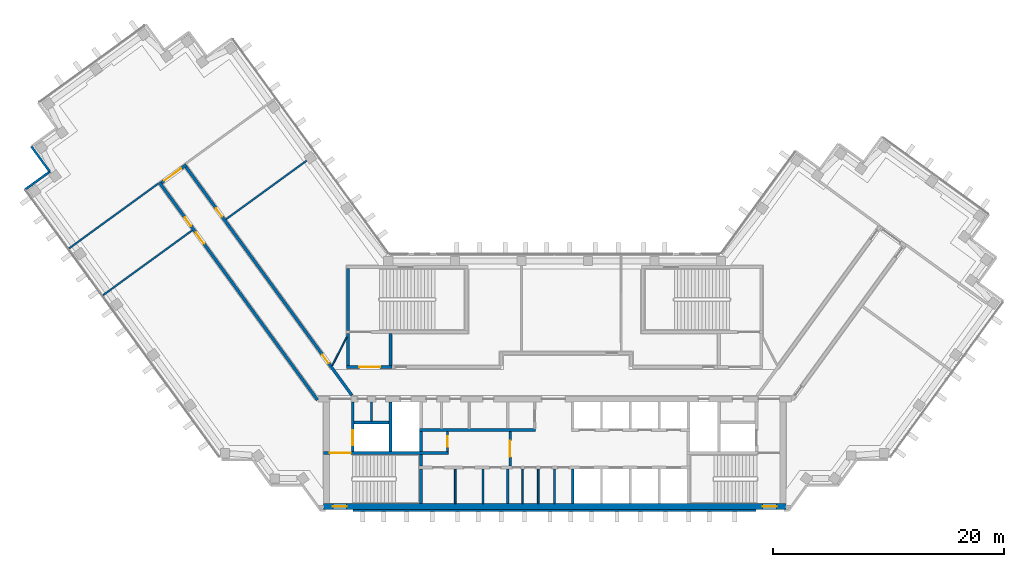
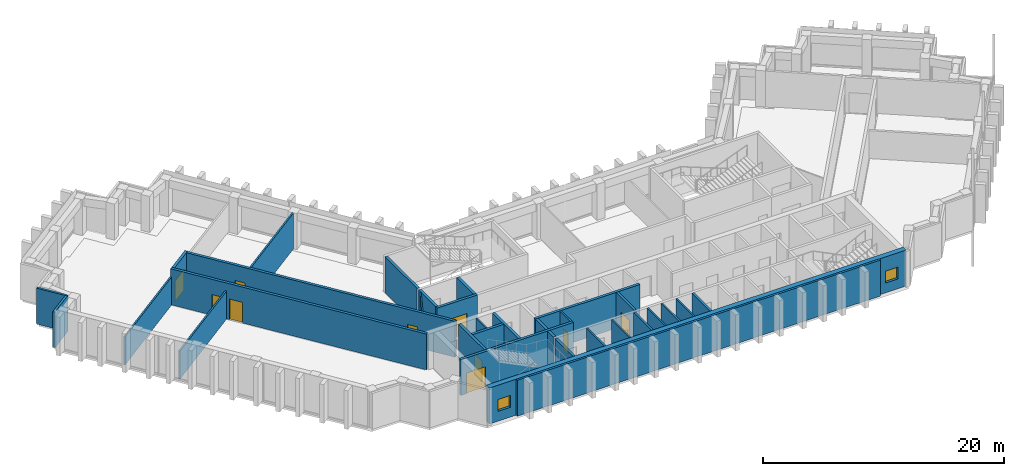
# One storey, part 4 of 9: 33 walls, 10 doors, 2 windows, 12 openings.
"""IFC4 building model written with IfcOpenShell, lengths in metres."""

from ifc_helpers import new_model, si_unit, direction, frame, frame_2d, origin, place, context, subcontext, project, spatial, rectangle, extrude, material, layer, layer_set, type_object, element, fill, save


model = new_model("IFC4")

# Units and contexts
model_context = context("Model", 3, precision=1e-05, world=origin(), true_north=direction((0.0, 1.0)))
body_context = subcontext(model_context, "Body", "Model", "MODEL_VIEW")
ifc_project = project(units=[si_unit("LENGTHUNIT", "METRE"), si_unit("AREAUNIT", "SQUARE_METRE"), si_unit("VOLUMEUNIT", "CUBIC_METRE"), si_unit("PLANEANGLEUNIT", "RADIAN"), si_unit("MASSUNIT", "GRAM", prefix="KILO")], contexts=[model_context])

# Site, building, storey
site_placement = place(None, origin())
site = spatial("IfcSite", under=ifc_project, at=site_placement, CompositionType="ELEMENT")
building_placement = place(site_placement, origin())
building = spatial("IfcBuilding", under=site, at=building_placement, Name="Quipu Civic Tower", CompositionType="ELEMENT")
storey_placement = place(building_placement, frame((0.0, 0.0, 214.0)))
storey = spatial("IfcBuildingStorey", under=building, at=storey_placement, Name="L50", CompositionType="ELEMENT", Elevation=214.0)

# Walls
ifc_material_1 = material(Name="Double gypsum plasterboard with mineral wool")
ifc_layer_1 = layer(ifc_material_1, 0.14990234375)
ifc_layer_set_1 = layer_set([ifc_layer_1], Name="Double gypsum plasterboard with mineral wool")
wall_type_1 = type_object("IfcWallType", Name="Acoustic partition 150 plasterboard", PredefinedType="PARTITIONING", material=ifc_layer_set_1)
wall_1_placement = place(storey_placement, frame((-21.46337890625, 19.189697265625, 0.0), z_axis=(0.0, 0.0, 1.0), x_axis=(-0.808993678379, -0.58781734267, 0.0)))
element("IfcWall", 1, at=wall_1_placement, inside=storey, type_object=wall_type_1, Name="Partition P03", PredefinedType="PARTITIONING", context=body_context, shape_type="SweptSolid", body=[
    extrude(rectangle(XDim=8.645263671875, YDim=0.14990234375, at=frame_2d((4.32275390625, 0.0))), origin(), (0.0, 0.0, 1.0), 3.64990234375),
])
for number, where, z_axis, x_axis, name in (
    (2, (-31.356201171875, 13.163818359375, 0.0), (0.0, 0.0, 1.0), (-0.809102944047, -0.587666934526, 0.0), "Partition P05"),
    (3, (-34.29833984375, 17.212890625, 0.0), (0.0, 0.0, 1.0), (-0.80898585166, -0.587828114175, 0.0), "Partition P07"),
):
    element("IfcWall", number, at=place(storey_placement, frame(where, z_axis=z_axis, x_axis=x_axis)), inside=storey, type_object=wall_type_1, Name=name, PredefinedType="PARTITIONING", context=body_context, shape_type="SweptSolid", body=[
        extrude(rectangle(XDim=9.550048828125, YDim=0.14990234375, at=frame_2d((4.77490234375, 0.0))), origin(), (0.0, 0.0, 1.0), 2.85009765625),
    ])
ifc_material_2 = material(Name="Concrete C70/85", Category="concrete")
ifc_layer_2 = layer(ifc_material_2, 0.25)
ifc_layer_set_2 = layer_set([ifc_layer_2], Name="Concrete C70/85")
wall_type_2 = type_object("IfcWallType", Name="Core wall 250", PredefinedType="SHEAR", material=ifc_layer_set_2)
wall_2_placement = place(storey_placement, frame((-11.574951171875, -10.5, 0.0), z_axis=(0.0, 0.0, 1.0), x_axis=(0.0, 1.0, 0.0)))
element("IfcWall", 4, at=wall_2_placement, inside=storey, type_object=wall_type_2, Name="Core wall", PredefinedType="SHEAR", context=body_context, shape_type="SweptSolid", body=[
    extrude(rectangle(XDim=3.0, YDim=0.25, at=frame_2d((1.5, 0.0))), origin(), (0.0, 0.0, 1.0), 3.64990234375),
])
wall_3_placement = place(storey_placement, frame((-11.574951171875, -7.25, 0.0), z_axis=(0.0, 0.0, 1.0), x_axis=(0.0, 1.0, 0.0)))
element("IfcWall", 5, at=wall_3_placement, inside=storey, type_object=wall_type_2, Name="Core wall", PredefinedType="SHEAR", context=body_context, shape_type="SweptSolid", body=[
    extrude(rectangle(XDim=1.0, YDim=0.25, at=frame_2d((0.5, 0.0))), origin(), (0.0, 0.0, 1.0), 3.64990234375),
])

# Wall, opening, door
wall_4_placement = place(storey_placement, frame((-9.199951171875, -6.125, 0.0), z_axis=(0.0, 0.0, 1.0), x_axis=(-1.0, 0.0, 0.0)))
wall_4 = element("IfcWall", 6, at=wall_4_placement, inside=storey, type_object=wall_type_2, Name="Core wall", PredefinedType="SHEAR", context=body_context, shape_type="SweptSolid", body=[
    extrude(rectangle(XDim=10.800048828125, YDim=0.25, at=frame_2d((5.39990234375, 0.0))), origin(), (0.0, 0.0, 1.0), 3.64990234375),
])
opening_1_placement = place(wall_4_placement, frame((8.449951171875, 0.0, 0.0)))
opening_1 = element("IfcOpeningElement", 7, at=opening_1_placement, cuts=wall_4, Name="Opening CD-08", PredefinedType="OPENING", context=body_context, shape_type="SweptSolid", body=[
    extrude(rectangle(XDim=1.800048828125, YDim=2.10009765625, at=frame_2d((0.89990234375, 1.050048828125))), frame((0.0, 0.135009765625, 0.0), z_axis=(0.0, -1.0, 0.0), x_axis=(1.0, 0.0, 0.0)), (0.0, 0.0, 1.0), 0.27001953125),
])
ifc_material_3 = material(Name="Fire rated steel door", Category="steel")
door_type_1 = type_object("IfcDoorType", Name="Fire door FD90 double 1800 x 2100", OperationType="NOTDEFINED", PredefinedType="DOOR", material=ifc_material_3)
door_1_placement = place(opening_1_placement, origin())
door_1 = element("IfcDoor", 8, at=door_1_placement, inside=storey, type_object=door_type_1, Name="Door", OperationType="DOUBLE_DOOR_SINGLE_SWING", OverallHeight=2.10009765625, OverallWidth=1.800048828125, PredefinedType="DOOR", context=body_context, shape_type="SweptSolid", body=[
    extrude(rectangle(XDim=1.800048828125, YDim=2.10009765625, at=frame_2d((0.89990234375, 1.050048828125))), frame((0.0, 0.02490234375, 0.0), z_axis=(0.0, -1.0, 0.0), x_axis=(1.0, 0.0, 0.0)), (0.0, 0.0, 1.0), 0.050048828125),
])
fill(opening_1, door_1)

wall_5_placement = place(storey_placement, frame((-17.47509765625, -6.0, 0.0), z_axis=(0.0, 0.0, 1.0), x_axis=(0.0, 1.0, 0.0)))
wall_5 = element("IfcWall", 9, at=wall_5_placement, inside=storey, type_object=wall_type_2, Name="Core wall", PredefinedType="SHEAR", context=body_context, shape_type="SweptSolid", body=[
    extrude(rectangle(XDim=4.300048828125, YDim=0.25, at=frame_2d((2.14990234375, 0.0))), origin(), (0.0, 0.0, 1.0), 3.64990234375),
])
opening_2_placement = place(wall_5_placement, frame((0.550048828125, 0.0, 0.0)))
opening_2 = element("IfcOpeningElement", 10, at=opening_2_placement, cuts=wall_5, Name="Opening LD-FF1", PredefinedType="OPENING", context=body_context, shape_type="SweptSolid", body=[
    extrude(rectangle(XDim=1.300048828125, YDim=2.10009765625, at=frame_2d((0.64990234375, 1.050048828125))), frame((0.0, 0.135009765625, 0.0), z_axis=(0.0, -1.0, 0.0), x_axis=(1.0, 0.0, 0.0)), (0.0, 0.0, 1.0), 0.27001953125),
])
ifc_material_4 = material(Name="Stainless steel", Category="steel")
door_type_2 = type_object("IfcDoorType", Name="Lift landing door 1300 x 2100", OperationType="DOUBLE_DOOR_SLIDING", PredefinedType="DOOR", material=ifc_material_4)
door_2_placement = place(opening_2_placement, origin())
door_2 = element("IfcDoor", 11, at=door_2_placement, inside=storey, type_object=door_type_2, Name="Landing door FF1", OperationType="DOUBLE_DOOR_SLIDING", OverallHeight=2.10009765625, OverallWidth=1.300048828125, PredefinedType="DOOR", context=body_context, shape_type="SweptSolid", body=[
    extrude(rectangle(XDim=1.300048828125, YDim=2.10009765625, at=frame_2d((0.64990234375, 1.050048828125))), frame((0.0, 0.02490234375, 0.0), z_axis=(0.0, -1.0, 0.0), x_axis=(1.0, 0.0, 0.0)), (0.0, 0.0, 1.0), 0.050048828125),
])
fill(opening_2, door_2)

# Walls
wall_6_placement = place(storey_placement, frame((-14.22509765625, -6.0, 0.0), z_axis=(0.0, 0.0, 1.0), x_axis=(0.0, 1.0, 0.0)))
element("IfcWall", 12, at=wall_6_placement, inside=storey, type_object=wall_type_2, Name="Core wall", PredefinedType="SHEAR", context=body_context, shape_type="SweptSolid", body=[
    extrude(rectangle(XDim=4.300048828125, YDim=0.25, at=frame_2d((2.14990234375, 0.0))), origin(), (0.0, 0.0, 1.0), 3.64990234375),
])
wall_7_placement = place(storey_placement, frame((-11.574951171875, -6.0, 0.0), z_axis=(0.0, 0.0, 1.0), x_axis=(0.0, 1.0, 0.0)))
element("IfcWall", 13, at=wall_7_placement, inside=storey, type_object=wall_type_2, Name="Core wall", PredefinedType="SHEAR", context=body_context, shape_type="SweptSolid", body=[
    extrude(rectangle(XDim=1.75, YDim=0.25, at=frame_2d((0.875, 0.0))), origin(), (0.0, 0.0, 1.0), 3.64990234375),
])
wall_8_placement = place(storey_placement, frame((-11.699951171875, -4.125, 0.0), z_axis=(0.0, 0.0, 1.0), x_axis=(1.0, 0.0, 0.0)))
element("IfcWall", 14, at=wall_8_placement, inside=storey, type_object=wall_type_2, Name="Core wall", PredefinedType="SHEAR", context=body_context, shape_type="SweptSolid", body=[
    extrude(rectangle(XDim=10.050048828125, YDim=0.25, at=frame_2d((5.02490234375, 0.0))), origin(), (0.0, 0.0, 1.0), 3.64990234375),
])
wall_9_placement = place(storey_placement, frame((-17.35009765625, -3.47509765625, 0.0), z_axis=(0.0, 0.0, 1.0), x_axis=(1.0, 0.0, 0.0)))
element("IfcWall", 15, at=wall_9_placement, inside=storey, type_object=wall_type_2, Name="Core wall", PredefinedType="SHEAR", context=body_context, shape_type="SweptSolid", body=[
    extrude(rectangle(XDim=3.0, YDim=0.25, at=frame_2d((1.5, 0.0))), origin(), (0.0, 0.0, 1.0), 3.64990234375),
])

# Wall, opening, door
wall_10_placement = place(storey_placement, frame((-18.0, 1.324951171875, 0.0), z_axis=(0.0, 0.0, 1.0), x_axis=(1.0, 0.0, 0.0)))
wall_10 = element("IfcWall", 16, at=wall_10_placement, inside=storey, type_object=wall_type_2, Name="Core wall", PredefinedType="SHEAR", context=body_context, shape_type="SweptSolid", body=[
    extrude(rectangle(XDim=3.89990234375, YDim=0.25, at=frame_2d((1.949951171875, 0.0))), origin(), (0.0, 0.0, 1.0), 3.64990234375),
])
opening_3_placement = place(wall_10_placement, frame((1.10009765625, 0.0, 0.0)))
opening_3 = element("IfcOpeningElement", 17, at=opening_3_placement, cuts=wall_10, Name="Opening CD-24", PredefinedType="OPENING", context=body_context, shape_type="SweptSolid", body=[
    extrude(rectangle(XDim=1.800048828125, YDim=2.10009765625, at=frame_2d((0.89990234375, 1.050048828125))), frame((0.0, 0.135009765625, 0.0), z_axis=(0.0, -1.0, 0.0), x_axis=(1.0, 0.0, 0.0)), (0.0, 0.0, 1.0), 0.27001953125),
])
door_3_placement = place(opening_3_placement, origin())
door_3 = element("IfcDoor", 18, at=door_3_placement, inside=storey, type_object=door_type_1, Name="Lobby door", OperationType="DOUBLE_DOOR_SINGLE_SWING", OverallHeight=2.10009765625, OverallWidth=1.800048828125, PredefinedType="DOOR", context=body_context, shape_type="SweptSolid", body=[
    extrude(rectangle(XDim=1.800048828125, YDim=2.10009765625, at=frame_2d((0.89990234375, 1.050048828125))), frame((0.0, 0.02490234375, 0.0), z_axis=(0.0, -1.0, 0.0), x_axis=(1.0, 0.0, 0.0)), (0.0, 0.0, 1.0), 0.050048828125),
])
fill(opening_3, door_3)

# Walls
for number, where, z_axis, x_axis, name in (
    (19, (-17.875, 1.449951171875, 0.0), (0.0, 0.0, 1.0), (0.0, 1.0, 0.0), "Core wall"),
    (20, (-14.22509765625, 1.449951171875, 0.0), (0.0, 0.0, 1.0), (0.0, 1.0, 0.0), "Core wall"),
):
    element("IfcWall", number, at=place(storey_placement, frame(where, z_axis=z_axis, x_axis=x_axis)), inside=storey, type_object=wall_type_2, Name=name, PredefinedType="SHEAR", context=body_context, shape_type="SweptSolid", body=[
        extrude(rectangle(XDim=2.800048828125, YDim=0.25, at=frame_2d((1.39990234375, 0.0))), origin(), (0.0, 0.0, 1.0), 3.64990234375),
    ])
wall_11_placement = place(storey_placement, frame((-17.875, 4.5, 0.0), z_axis=(0.0, 0.0, 1.0), x_axis=(0.0, 1.0, 0.0)))
element("IfcWall", 21, at=wall_11_placement, inside=storey, type_object=wall_type_2, Name="Core wall", PredefinedType="SHEAR", context=body_context, shape_type="SweptSolid", body=[
    extrude(rectangle(XDim=5.35009765625, YDim=0.25, at=frame_2d((2.675048828125, 0.0))), origin(), (0.0, 0.0, 1.0), 3.64990234375),
])

# Wall, openings, windows
ifc_material_5 = material(Name="Concrete C70/85", Category="concrete")
ifc_layer_3 = layer(ifc_material_5, 0.5)
ifc_layer_set_3 = layer_set([ifc_layer_3], Name="Concrete C70/85")
wall_type_3 = type_object("IfcWallType", Name="Core wall 500", PredefinedType="SHEAR", material=ifc_layer_set_3)
wall_12_placement = place(storey_placement, frame((-20.0, -10.75, 0.0), z_axis=(0.0, 0.0, 1.0), x_axis=(1.0, 0.0, 0.0)))
wall_12 = element("IfcWall", 22, at=wall_12_placement, inside=storey, type_object=wall_type_3, Name="Core wall", PredefinedType="SHEAR", context=body_context, shape_type="SweptSolid", body=[
    extrude(rectangle(XDim=40.0, YDim=0.5, at=frame_2d((20.0, 0.0))), origin(), (0.0, 0.0, 1.0), 3.64990234375),
])
opening_4_placement = place(wall_12_placement, frame((0.800048828125, 0.0, 1.0)))
opening_4 = element("IfcOpeningElement", 23, at=opening_4_placement, cuts=wall_12, Name="Opening SV-1", PredefinedType="OPENING", context=body_context, shape_type="SweptSolid", body=[
    extrude(rectangle(XDim=1.199951171875, YDim=1.199951171875, at=frame_2d((0.60009765625, 0.60009765625))), frame((0.0, 0.260009765625, 0.0), z_axis=(0.0, -1.0, 0.0), x_axis=(1.0, 0.0, 0.0)), (0.0, 0.0, 1.0), 0.52001953125),
])
opening_5_placement = place(wall_12_placement, frame((38.0, 0.0, 1.0)))
opening_5 = element("IfcOpeningElement", 24, at=opening_5_placement, cuts=wall_12, Name="Opening SV-2", PredefinedType="OPENING", context=body_context, shape_type="SweptSolid", body=[
    extrude(rectangle(XDim=1.199951171875, YDim=1.199951171875, at=frame_2d((0.60009765625, 0.60009765625))), frame((0.0, 0.260009765625, 0.0), z_axis=(0.0, -1.0, 0.0), x_axis=(1.0, 0.0, 0.0)), (0.0, 0.0, 1.0), 0.52001953125),
])
ifc_material_6 = material(Name="Aluminium louvre", Category="aluminium")
window_type = type_object("IfcWindowType", Name="Stair ventilation louvre 1200 x 1200", PartitioningType="SINGLE_PANEL", PredefinedType="WINDOW", material=ifc_material_6)
window_1_placement = place(opening_4_placement, origin())
window_1 = element("IfcWindow", 25, at=window_1_placement, inside=storey, type_object=window_type, Name="Stair ventilation opening", OverallHeight=1.199951171875, OverallWidth=1.199951171875, PartitioningType="SINGLE_PANEL", PredefinedType="WINDOW", context=body_context, shape_type="SweptSolid", body=[
    extrude(rectangle(XDim=1.199951171875, YDim=1.199951171875, at=frame_2d((0.60009765625, 0.60009765625))), frame((0.0, 0.030029296875, 0.0), z_axis=(0.0, -1.0, 0.0), x_axis=(1.0, 0.0, 0.0)), (0.0, 0.0, 1.0), 0.06005859375),
])
fill(opening_4, window_1)
window_2_placement = place(opening_5_placement, origin())
window_2 = element("IfcWindow", 26, at=window_2_placement, inside=storey, type_object=window_type, Name="Stair ventilation opening", OverallHeight=1.199951171875, OverallWidth=1.199951171875, PartitioningType="SINGLE_PANEL", PredefinedType="WINDOW", context=body_context, shape_type="SweptSolid", body=[
    extrude(rectangle(XDim=1.199951171875, YDim=1.199951171875, at=frame_2d((0.60009765625, 0.60009765625))), frame((0.0, 0.030029296875, 0.0), z_axis=(0.0, -1.0, 0.0), x_axis=(1.0, 0.0, 0.0)), (0.0, 0.0, 1.0), 0.06005859375),
])
fill(opening_5, window_2)

# Wall, openings, doors
ifc_material_7 = material(Name="Concrete C50/60", Category="concrete")
ifc_layer_4 = layer(ifc_material_7, 0.25)
ifc_layer_set_4 = layer_set([ifc_layer_4], Name="Concrete C50/60")
wall_type_4 = type_object("IfcWallType", Name="Corridor wall 250 concrete", PredefinedType="SOLIDWALL", material=ifc_layer_set_4)
wall_13_placement = place(storey_placement, frame((-20.531005859375, -1.5234375, 0.0), z_axis=(0.0, 0.0, 1.0), x_axis=(-0.587784239999, 0.809017729849, 0.0)))
wall_13 = element("IfcWall", 27, at=wall_13_placement, inside=storey, type_object=wall_type_4, Name="Corridor wall C04", PredefinedType="SOLIDWALL", context=body_context, shape_type="SweptSolid", body=[
    extrude(rectangle(XDim=23.2705078125, YDim=0.25, at=frame_2d((11.63525390625, 0.0))), origin(), (0.0, 0.0, 1.0), 3.64990234375),
])
opening_6_placement = place(wall_13_placement, frame((16.7158203125, 0.0, 0.0)))
opening_6 = element("IfcOpeningElement", 28, at=opening_6_placement, cuts=wall_13, Name="Opening D011", PredefinedType="OPENING", context=body_context, shape_type="SweptSolid", body=[
    extrude(rectangle(XDim=1.199951171875, YDim=2.10009765625, at=frame_2d((0.60009765625, 1.050048828125))), frame((0.0, 0.135009765625, 0.0), z_axis=(0.0, -1.0, 0.0), x_axis=(1.0, 0.0, 0.0)), (0.0, 0.0, 1.0), 0.27001953125),
])
opening_7_placement = place(wall_13_placement, frame((18.6162109375, 0.0, 0.0)))
opening_7 = element("IfcOpeningElement", 29, at=opening_7_placement, cuts=wall_13, Name="Opening D010", PredefinedType="OPENING", context=body_context, shape_type="SweptSolid", body=[
    extrude(rectangle(XDim=0.89990234375, YDim=2.10009765625, at=frame_2d((0.449951171875, 1.050048828125))), frame((0.0, 0.135009765625, 0.0), z_axis=(0.0, -1.0, 0.0), x_axis=(1.0, 0.0, 0.0)), (0.0, 0.0, 1.0), 0.27001953125),
])
ifc_material_8 = material(Name="Fire rated timber door set with metal frame", Category="wood")
door_type_3 = type_object("IfcDoorType", Name="Single door 1200 x 2100 FD60", OperationType="NOTDEFINED", PredefinedType="DOOR", material=ifc_material_8)
door_4_placement = place(opening_6_placement, origin())
door_4 = element("IfcDoor", 30, at=door_4_placement, inside=storey, type_object=door_type_3, Name="Door D011", OperationType="SINGLE_SWING_RIGHT", OverallHeight=2.10009765625, OverallWidth=1.199951171875, PredefinedType="DOOR", context=body_context, shape_type="SweptSolid", body=[
    extrude(rectangle(XDim=1.199951171875, YDim=2.10009765625, at=frame_2d((0.60009765625, 1.050048828125))), frame((0.0, 0.02490234375, 0.0), z_axis=(0.0, -1.0, 0.0), x_axis=(1.0, 0.0, 0.0)), (0.0, 0.0, 1.0), 0.050048828125),
])
fill(opening_6, door_4)
ifc_material_9 = material(Name="Fire rated timber door set with metal frame", Category="wood")
door_type_4 = type_object("IfcDoorType", Name="Single door 900 x 2100 FD60", OperationType="NOTDEFINED", PredefinedType="DOOR", material=ifc_material_9)
door_5_placement = place(opening_7_placement, origin())
door_5 = element("IfcDoor", 31, at=door_5_placement, inside=storey, type_object=door_type_4, Name="Door D010", OperationType="SINGLE_SWING_LEFT", OverallHeight=2.10009765625, OverallWidth=0.89990234375, PredefinedType="DOOR", context=body_context, shape_type="SweptSolid", body=[
    extrude(rectangle(XDim=0.89990234375, YDim=2.10009765625, at=frame_2d((0.449951171875, 1.050048828125))), frame((0.0, 0.02490234375, 0.0), z_axis=(0.0, -1.0, 0.0), x_axis=(1.0, 0.0, 0.0)), (0.0, 0.0, 1.0), 0.050048828125),
])
fill(opening_7, door_5)

# Wall, opening, door
wall_14_placement = place(storey_placement, frame((-34.0341796875, 17.275146484375, 0.0), z_axis=(0.0, 0.0, 1.0), x_axis=(0.809006914995, 0.587799125119, 0.0)))
wall_14 = element("IfcWall", 32, at=wall_14_placement, inside=storey, type_object=wall_type_4, Name="Corridor wall C05", PredefinedType="SOLIDWALL", context=body_context, shape_type="SweptSolid", body=[
    extrude(rectangle(XDim=2.64990234375, YDim=0.25, at=frame_2d((1.324951171875, 0.0))), origin(), (0.0, 0.0, 1.0), 3.64990234375),
])
opening_8_placement = place(wall_14_placement, frame((0.30029296875, 0.0, 0.0)))
opening_8 = element("IfcOpeningElement", 33, at=opening_8_placement, cuts=wall_14, Name="Opening D012", PredefinedType="OPENING", context=body_context, shape_type="SweptSolid", body=[
    extrude(rectangle(XDim=1.800048828125, YDim=2.10009765625, at=frame_2d((0.89990234375, 1.050048828125))), frame((0.0, 0.135009765625, 0.0), z_axis=(0.0, -1.0, 0.0), x_axis=(1.0, 0.0, 0.0)), (0.0, 0.0, 1.0), 0.27001953125),
])
ifc_material_10 = material(Name="Fire rated timber door set with metal frame", Category="wood")
door_type_5 = type_object("IfcDoorType", Name="Double door 1800 x 2100 FD60", OperationType="DOUBLE_DOOR_SINGLE_SWING", PredefinedType="DOOR", material=ifc_material_10)
door_6_placement = place(opening_8_placement, origin())
door_6 = element("IfcDoor", 34, at=door_6_placement, inside=storey, type_object=door_type_5, Name="Door D012", OperationType="DOUBLE_DOOR_SINGLE_SWING", OverallHeight=2.10009765625, OverallWidth=1.800048828125, PredefinedType="DOOR", context=body_context, shape_type="SweptSolid", body=[
    extrude(rectangle(XDim=1.800048828125, YDim=2.10009765625, at=frame_2d((0.89990234375, 1.050048828125))), frame((0.0, 0.02490234375, 0.0), z_axis=(0.0, -1.0, 0.0), x_axis=(1.0, 0.0, 0.0)), (0.0, 0.0, 1.0), 0.050048828125),
])
fill(opening_8, door_6)

# Wall, openings, doors
wall_15_placement = place(storey_placement, frame((-31.918212890625, 18.658203125, 0.0), z_axis=(0.0, 0.0, 1.0), x_axis=(0.587788731405, -0.80901446664, 0.0)))
wall_15 = element("IfcWall", 35, at=wall_15_placement, inside=storey, type_object=wall_type_4, Name="Corridor wall C06", PredefinedType="SOLIDWALL", context=body_context, shape_type="SweptSolid", body=[
    extrude(rectangle(XDim=24.453125, YDim=0.25, at=frame_2d((12.2265625, 0.0))), origin(), (0.0, 0.0, 1.0), 3.64990234375),
])
opening_9_placement = place(wall_15_placement, frame((20.111572265625, 0.0, 0.0)))
opening_9 = element("IfcOpeningElement", 36, at=opening_9_placement, cuts=wall_15, Name="Opening D009", PredefinedType="OPENING", context=body_context, shape_type="SweptSolid", body=[
    extrude(rectangle(XDim=0.89990234375, YDim=2.10009765625, at=frame_2d((0.449951171875, 1.050048828125))), frame((0.0, 0.135009765625, 0.0), z_axis=(0.0, -1.0, 0.0), x_axis=(1.0, 0.0, 0.0)), (0.0, 0.0, 1.0), 0.27001953125),
])
opening_10_placement = place(wall_15_placement, frame((4.4453125, 0.0, 0.0)))
opening_10 = element("IfcOpeningElement", 37, at=opening_10_placement, cuts=wall_15, Name="Opening D008", PredefinedType="OPENING", context=body_context, shape_type="SweptSolid", body=[
    extrude(rectangle(XDim=0.89990234375, YDim=2.10009765625, at=frame_2d((0.449951171875, 1.050048828125))), frame((0.0, 0.135009765625, 0.0), z_axis=(0.0, -1.0, 0.0), x_axis=(1.0, 0.0, 0.0)), (0.0, 0.0, 1.0), 0.27001953125),
])
door_7_placement = place(opening_9_placement, origin())
door_7 = element("IfcDoor", 38, at=door_7_placement, inside=storey, type_object=door_type_4, Name="Door D009", OperationType="SINGLE_SWING_RIGHT", OverallHeight=2.10009765625, OverallWidth=0.89990234375, PredefinedType="DOOR", context=body_context, shape_type="SweptSolid", body=[
    extrude(rectangle(XDim=0.89990234375, YDim=2.10009765625, at=frame_2d((0.449951171875, 1.050048828125))), frame((0.0, 0.02490234375, 0.0), z_axis=(0.0, -1.0, 0.0), x_axis=(1.0, 0.0, 0.0)), (0.0, 0.0, 1.0), 0.050048828125),
])
fill(opening_9, door_7)
door_8_placement = place(opening_10_placement, origin())
door_8 = element("IfcDoor", 39, at=door_8_placement, inside=storey, type_object=door_type_4, Name="Door D008", OperationType="SINGLE_SWING_RIGHT", OverallHeight=2.10009765625, OverallWidth=0.89990234375, PredefinedType="DOOR", context=body_context, shape_type="SweptSolid", body=[
    extrude(rectangle(XDim=0.89990234375, YDim=2.10009765625, at=frame_2d((0.449951171875, 1.050048828125))), frame((0.0, 0.02490234375, 0.0), z_axis=(0.0, -1.0, 0.0), x_axis=(1.0, 0.0, 0.0)), (0.0, 0.0, 1.0), 0.050048828125),
])
fill(opening_10, door_8)

# Walls
ifc_material_11 = material(Name="Gypsum plasterboard on light gauge framing")
ifc_layer_5 = layer(ifc_material_11, 0.1201171875)
ifc_layer_set_5 = layer_set([ifc_layer_5], Name="Gypsum plasterboard on light gauge framing")
wall_type_5 = type_object("IfcWallType", Name="Partition 120 plasterboard", PredefinedType="PARTITIONING", material=ifc_layer_set_5)
wall_16_placement = place(storey_placement, frame((-19.260986328125, 1.449951171875, 0.0), z_axis=(0.0, 0.0, 1.0), x_axis=(0.453950796792, 0.891026752736, 0.0)))
element("IfcWall", 40, at=wall_16_placement, inside=storey, type_object=wall_type_5, Name="Partition P10", PredefinedType="PARTITIONING", context=body_context, shape_type="SweptSolid", body=[
    extrude(rectangle(XDim=2.77783203125, YDim=0.1201171875, at=frame_2d((1.388916015625, 0.0))), origin(), (0.0, 0.0, 1.0), 3.64990234375),
])
ifc_material_12 = material(Name="Gypsum board partition")
ifc_layer_6 = layer(ifc_material_12, 0.14990234375)
ifc_layer_set_6 = layer_set([ifc_layer_6], Name="Gypsum board partition")
wall_type_6 = type_object("IfcWallType", Name="Partition 150", PredefinedType="PARTITIONING", material=ifc_layer_set_6)
for number, where, z_axis, x_axis, name in (
    (41, (-8.60009765625, -10.5, 0.0), (0.0, 0.0, 1.0), (0.0, 1.0, 0.0), "Partition"),
    (42, (-6.199951171875, -10.5, 0.0), (0.0, 0.0, 1.0), (0.0, 1.0, 0.0), "Partition"),
    (43, (-2.77490234375, -10.5, 0.0), (0.0, 0.0, 1.0), (0.0, 1.0, 0.0), "Partition"),
    (44, (-1.425048828125, -10.5, 0.0), (0.0, 0.0, 1.0), (0.0, 1.0, 0.0), "Partition"),
    (45, (-0.02490234375, -10.5, 0.0), (0.0, 0.0, 1.0), (0.0, 1.0, 0.0), "Partition"),
):
    element("IfcWall", number, at=place(storey_placement, frame(where, z_axis=z_axis, x_axis=x_axis)), inside=storey, type_object=wall_type_6, Name=name, PredefinedType="PARTITIONING", context=body_context, shape_type="SweptSolid", body=[
        extrude(rectangle(XDim=3.0, YDim=0.14990234375, at=frame_2d((1.5, 0.0))), origin(), (0.0, 0.0, 1.0), 3.64990234375),
    ])

# Wall, opening, door
wall_17_placement = place(storey_placement, frame((-9.27490234375, -4.25, 0.0), z_axis=(0.0, 0.0, 1.0), x_axis=(0.0, -1.0, 0.0)))
wall_17 = element("IfcWall", 46, at=wall_17_placement, inside=storey, type_object=wall_type_6, Name="Partition", PredefinedType="PARTITIONING", context=body_context, shape_type="SweptSolid", body=[
    extrude(rectangle(XDim=1.75, YDim=0.14990234375, at=frame_2d((0.875, 0.0))), origin(), (0.0, 0.0, 1.0), 3.64990234375),
])
opening_11_placement = place(wall_17_placement, frame((0.39990234375, 0.0, 0.0)))
opening_11 = element("IfcOpeningElement", 47, at=opening_11_placement, cuts=wall_17, Name="Opening CD-11", PredefinedType="OPENING", context=body_context, shape_type="SweptSolid", body=[
    extrude(rectangle(XDim=0.89990234375, YDim=2.10009765625, at=frame_2d((0.449951171875, 1.050048828125))), frame((0.0, 0.0849609375, 0.0), z_axis=(0.0, -1.0, 0.0), x_axis=(1.0, 0.0, 0.0)), (0.0, 0.0, 1.0), 0.169921875),
])
ifc_material_13 = material(Name="Fire rated steel door", Category="steel")
door_type_6 = type_object("IfcDoorType", Name="Fire door FD60 900 x 2100", OperationType="NOTDEFINED", PredefinedType="DOOR", material=ifc_material_13)
door_9_placement = place(opening_11_placement, origin())
door_9 = element("IfcDoor", 48, at=door_9_placement, inside=storey, type_object=door_type_6, Name="Door", OperationType="SINGLE_SWING_LEFT", OverallHeight=2.10009765625, OverallWidth=0.89990234375, PredefinedType="DOOR", context=body_context, shape_type="SweptSolid", body=[
    extrude(rectangle(XDim=0.89990234375, YDim=2.10009765625, at=frame_2d((0.449951171875, 1.050048828125))), frame((0.0, 0.02490234375, 0.0), z_axis=(0.0, -1.0, 0.0), x_axis=(1.0, 0.0, 0.0)), (0.0, 0.0, 1.0), 0.050048828125),
])
fill(opening_11, door_9)

# Walls
wall_18_placement = place(storey_placement, frame((-15.85009765625, -3.35009765625, 0.0), z_axis=(0.0, 0.0, 1.0), x_axis=(0.0, 1.0, 0.0)))
element("IfcWall", 49, at=wall_18_placement, inside=storey, type_object=wall_type_6, Name="Partition", PredefinedType="PARTITIONING", context=body_context, shape_type="SweptSolid", body=[
    extrude(rectangle(XDim=1.650146484375, YDim=0.14990234375, at=frame_2d((0.8251953125, 0.0))), origin(), (0.0, 0.0, 1.0), 3.64990234375),
])
ifc_material_14 = material(Name="Precast concrete C40/50", Category="concrete")
wall_type_7 = type_object("IfcWallType", Name="Precast cladding wall", PredefinedType="SOLIDWALL", material=ifc_material_14)
for number, where, z_axis, x_axis, name in (
    (50, (-45.29638671875, 20.43359375, 0.0), (0.0, 0.0, 1.0), (0.587762999008, -0.809033161865, 0.0), "Precast cladding wall L50 P09"),
    (51, (-43.658203125, 18.271728515625, 0.0), (0.0, 0.0, 1.0), (-0.808958916286, -0.58786518162, 0.0), "Precast cladding wall L50 P10"),
):
    element("IfcWall", number, at=place(storey_placement, frame(where, z_axis=z_axis, x_axis=x_axis)), inside=storey, type_object=wall_type_7, Name=name, PredefinedType="SOLIDWALL", context=body_context, shape_type="SweptSolid", body=[
        extrude(rectangle(XDim=2.699951171875, YDim=0.199951171875, at=frame_2d((1.35009765625, 0.0))), origin(), (0.0, 0.0, 1.0), 3.64990234375),
    ])
wall_19_placement = place(storey_placement, frame((-17.44384765625, -11.087890625, 0.0), z_axis=(0.0, 0.0, 1.0), x_axis=(1.0, 0.0, 0.0)))
element("IfcWall", 52, at=wall_19_placement, inside=storey, type_object=wall_type_7, Name="Precast cladding wall L50 P17", PredefinedType="SOLIDWALL", context=body_context, shape_type="SweptSolid", body=[
    extrude(rectangle(XDim=34.8876953125, YDim=0.199951171875, at=frame_2d((17.44384765625, 0.0))), origin(), (0.0, 0.0, 1.0), 3.64990234375),
])
ifc_material_15 = material(Name="Concrete C40/50", Category="concrete")
ifc_layer_7 = layer(ifc_material_15, 0.199951171875)
ifc_layer_set_7 = layer_set([ifc_layer_7], Name="Concrete C40/50")
wall_type_8 = type_object("IfcWallType", Name="Shaft wall 200", PredefinedType="SOLIDWALL", material=ifc_layer_set_7)
for number, where, z_axis, x_axis, name in (
    (53, (-4.050048828125, -10.5, 0.0), (0.0, 0.0, 1.0), (0.0, 1.0, 0.0), "Shaft wall"),
    (54, (1.550048828125, -10.5, 0.0), (0.0, 0.0, 1.0), (0.0, 1.0, 0.0), "Shaft wall"),
):
    element("IfcWall", number, at=place(storey_placement, frame(where, z_axis=z_axis, x_axis=x_axis)), inside=storey, type_object=wall_type_8, Name=name, PredefinedType="SOLIDWALL", context=body_context, shape_type="SweptSolid", body=[
        extrude(rectangle(XDim=3.0, YDim=0.199951171875, at=frame_2d((1.5, 0.0))), origin(), (0.0, 0.0, 1.0), 3.64990234375),
    ])

# Wall, opening, door
wall_20_placement = place(storey_placement, frame((-3.85009765625, -4.25, 0.0), z_axis=(0.0, 0.0, 1.0), x_axis=(0.0, -1.0, 0.0)))
wall_20 = element("IfcWall", 55, at=wall_20_placement, inside=storey, type_object=wall_type_8, Name="Shaft wall", PredefinedType="SOLIDWALL", context=body_context, shape_type="SweptSolid", body=[
    extrude(rectangle(XDim=3.0, YDim=0.199951171875, at=frame_2d((1.5, 0.0))), origin(), (0.0, 0.0, 1.0), 3.64990234375),
])
opening_12_placement = place(wall_20_placement, frame((0.800048828125, 0.0, 0.0)))
opening_12 = element("IfcOpeningElement", 56, at=opening_12_placement, cuts=wall_20, Name="Opening CD-10", PredefinedType="OPENING", context=body_context, shape_type="SweptSolid", body=[
    extrude(rectangle(XDim=1.39990234375, YDim=2.10009765625, at=frame_2d((0.699951171875, 1.050048828125))), frame((0.0, 0.10986328125, 0.0), z_axis=(0.0, -1.0, 0.0), x_axis=(1.0, 0.0, 0.0)), (0.0, 0.0, 1.0), 0.219970703125),
])
ifc_material_16 = material(Name="Fire rated steel door", Category="steel")
door_type_7 = type_object("IfcDoorType", Name="Fire door FD60 double 1400 x 2100", OperationType="NOTDEFINED", PredefinedType="DOOR", material=ifc_material_16)
door_10_placement = place(opening_12_placement, origin())
door_10 = element("IfcDoor", 57, at=door_10_placement, inside=storey, type_object=door_type_7, Name="Hall door", OperationType="DOUBLE_DOOR_SINGLE_SWING", OverallHeight=2.10009765625, OverallWidth=1.39990234375, PredefinedType="DOOR", context=body_context, shape_type="SweptSolid", body=[
    extrude(rectangle(XDim=1.39990234375, YDim=2.10009765625, at=frame_2d((0.699951171875, 1.050048828125))), frame((0.0, 0.02490234375, 0.0), z_axis=(0.0, -1.0, 0.0), x_axis=(1.0, 0.0, 0.0)), (0.0, 0.0, 1.0), 0.050048828125),
])
fill(opening_12, door_10)

save(model, "model.ifc")
